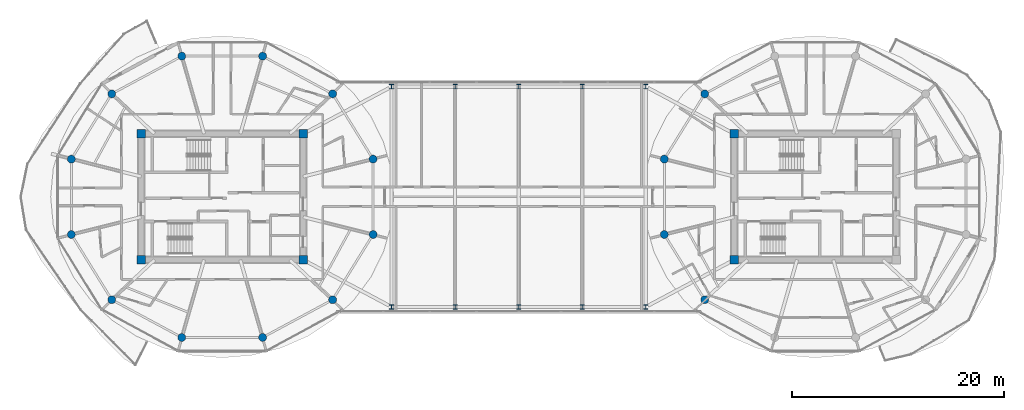
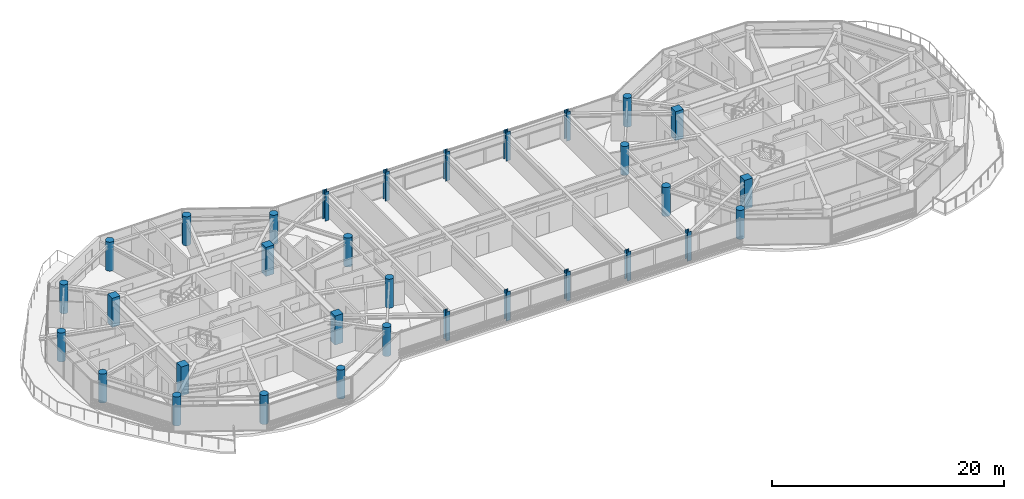
# One storey, part 1 of 23: 32 columns.
"""IFC4 building model written with IfcOpenShell, lengths in metres."""

from ifc_helpers import new_model, si_unit, direction, frame, origin, origin_2d, place, context, subcontext, project, spatial, rectangle, circle, i_section, extrude, source, transform, mapped, material, material_profile, profile_set, type_object, type_shapes, element, save


model = new_model("IFC4")

# Units and contexts
model_context = context("Model", 3, precision=1e-05, world=origin(), true_north=direction((0.0, 1.0)))
body_context = subcontext(model_context, "Body", "Model", "MODEL_VIEW")
ifc_project = project(units=[si_unit("LENGTHUNIT", "METRE"), si_unit("AREAUNIT", "SQUARE_METRE"), si_unit("VOLUMEUNIT", "CUBIC_METRE"), si_unit("PLANEANGLEUNIT", "RADIAN"), si_unit("MASSUNIT", "GRAM", prefix="KILO")], contexts=[model_context])

# Site, building, storey
site_placement = place(None, origin())
site = spatial("IfcSite", under=ifc_project, at=site_placement, CompositionType="ELEMENT")
building_placement = place(site_placement, origin())
building = spatial("IfcBuilding", under=site, at=building_placement, Name="Norrkilde Senior Care Towers", CompositionType="ELEMENT")
storey_placement = place(building_placement, frame((0.0, 0.0, 207.800048828125)))
storey = spatial("IfcBuildingStorey", under=building, at=storey_placement, Name="L64", CompositionType="ELEMENT", Elevation=207.800048828125)

# Columns
ifc_material_1 = material(Name="Concrete C60/75", Category="concrete")
ifc_material_profile_1 = material_profile(ifc_material_1, rectangle(XDim=0.800048828125, YDim=0.800048828125, at=origin_2d()), Name="RC COL 800x800")
ifc_profile_set_1 = profile_set([ifc_material_profile_1], Name="Concrete C60/75")
column_type_1 = type_object("IfcColumnType", Name="Column Core Corner Z3-Z4 800", PredefinedType="COLUMN", material=ifc_profile_set_1)
shared_shape_1 = source(origin(), body_context, "Body", "SweptSolid", [
    extrude(rectangle(XDim=0.800048828125, YDim=0.800048828125, at=origin_2d()), origin(), (0.0, 0.0, 1.0), 3.050048828125),
])
type_shapes(column_type_1, [shared_shape_1])
for number, where, z_axis, x_axis, name in (
    (1, (-35.64990234375, -5.949951171875, 0.0), (0.0, 0.0, 1.0), (1.0, 0.0, 0.0), "L64 Core W Corner Column 1"),
    (2, (-20.35009765625, -5.949951171875, 0.0), (0.0, 0.0, 1.0), (1.0, 0.0, 0.0), "L64 Core W Corner Column 2"),
    (3, (-20.35009765625, 5.949951171875, 0.0), (0.0, 0.0, 1.0), (1.0, 0.0, 0.0), "L64 Core W Corner Column 3"),
    (4, (-35.64990234375, 5.949951171875, 0.0), (0.0, 0.0, 1.0), (1.0, 0.0, 0.0), "L64 Core W Corner Column 4"),
    (5, (20.35009765625, -5.949951171875, 0.0), (0.0, 0.0, 1.0), (1.0, 0.0, 0.0), "L64 Core E Corner Column 1"),
    (6, (20.35009765625, 5.949951171875, 0.0), (0.0, 0.0, 1.0), (1.0, 0.0, 0.0), "L64 Core E Corner Column 4"),
):
    element("IfcColumn", number, at=place(storey_placement, frame(where, z_axis=z_axis, x_axis=x_axis)), inside=storey, type_object=column_type_1, Name=name, PredefinedType="COLUMN", context=body_context, shape_type="MappedRepresentation", body=[
        mapped(shared_shape_1, transform((0.0, 0.0, 0.0), x_axis=(1.0, 0.0, 0.0), y_axis=(0.0, 1.0, 0.0), z_axis=(0.0, 0.0, 1.0), scale=1.0)),
    ])
ifc_material_2 = material(Name="Concrete C50/60", Category="concrete")
ifc_material_profile_2 = material_profile(ifc_material_2, circle(Radius=0.375, at=origin_2d()), Name="RC CIR 750")
ifc_profile_set_2 = profile_set([ifc_material_profile_2], Name="Concrete C50/60")
column_type_2 = type_object("IfcColumnType", Name="Column Perimeter Z4 750", PredefinedType="COLUMN", material=ifc_profile_set_2)
shared_shape_2 = source(origin(), body_context, "Body", "SweptSolid", [
    extrude(circle(Radius=0.375, at=origin_2d()), origin(), (0.0, 0.0, 1.0), 3.050048828125),
])
type_shapes(column_type_2, [shared_shape_2])
for number, where, z_axis, x_axis, name in (
    (7, (-13.752685546875, 3.558837890625, 0.0), (0.0, 0.0, 1.0), (1.0, 0.0, 0.0), "L64 Drum W Perimeter Column 01"),
    (8, (-17.570068359375, 9.72265625, 0.0), (0.0, 0.0, 1.0), (1.0, 0.0, 0.0), "L64 Drum W Perimeter Column 02"),
    (9, (-24.182373046875, 13.281494140625, 0.0), (0.0, 0.0, 1.0), (1.0, 0.0, 0.0), "L64 Drum W Perimeter Column 03"),
    (10, (-31.817626953125, 13.281494140625, 0.0), (0.0, 0.0, 1.0), (1.0, 0.0, 0.0), "L64 Drum W Perimeter Column 04"),
    (11, (-38.429931640625, 9.72265625, 0.0), (0.0, 0.0, 1.0), (1.0, 0.0, 0.0), "L64 Drum W Perimeter Column 05"),
    (12, (-42.247314453125, 3.558837890625, 0.0), (0.0, 0.0, 1.0), (1.0, 0.0, 0.0), "L64 Drum W Perimeter Column 06"),
    (13, (-42.247314453125, -3.558837890625, 0.0), (0.0, 0.0, 1.0), (1.0, 0.0, 0.0), "L64 Drum W Perimeter Column 07"),
    (14, (-38.429931640625, -9.72265625, 0.0), (0.0, 0.0, 1.0), (1.0, 0.0, 0.0), "L64 Drum W Perimeter Column 08"),
    (15, (-31.817626953125, -13.281494140625, 0.0), (0.0, 0.0, 1.0), (1.0, 0.0, 0.0), "L64 Drum W Perimeter Column 09"),
    (16, (-24.182373046875, -13.281494140625, 0.0), (0.0, 0.0, 1.0), (1.0, 0.0, 0.0), "L64 Drum W Perimeter Column 10"),
    (17, (-17.570068359375, -9.72265625, 0.0), (0.0, 0.0, 1.0), (1.0, 0.0, 0.0), "L64 Drum W Perimeter Column 11"),
    (18, (-13.752685546875, -3.558837890625, 0.0), (0.0, 0.0, 1.0), (1.0, 0.0, 0.0), "L64 Drum W Perimeter Column 12"),
    (19, (17.570068359375, 9.72265625, 0.0), (0.0, 0.0, 1.0), (1.0, 0.0, 0.0), "L64 Drum E Perimeter Column 05"),
    (20, (13.752685546875, 3.558837890625, 0.0), (0.0, 0.0, 1.0), (1.0, 0.0, 0.0), "L64 Drum E Perimeter Column 06"),
    (21, (13.752685546875, -3.558837890625, 0.0), (0.0, 0.0, 1.0), (1.0, 0.0, 0.0), "L64 Drum E Perimeter Column 07"),
    (22, (17.570068359375, -9.72265625, 0.0), (0.0, 0.0, 1.0), (1.0, 0.0, 0.0), "L64 Drum E Perimeter Column 08"),
):
    element("IfcColumn", number, at=place(storey_placement, frame(where, z_axis=z_axis, x_axis=x_axis)), inside=storey, type_object=column_type_2, Name=name, PredefinedType="COLUMN", context=body_context, shape_type="MappedRepresentation", body=[
        mapped(shared_shape_2, transform((0.0, 0.0, 0.0), x_axis=(1.0, 0.0, 0.0), y_axis=(0.0, 1.0, 0.0), z_axis=(0.0, 0.0, 1.0), scale=1.0)),
    ])
ifc_material_3 = material(Name="Steel S355", Category="steel")
ifc_material_profile_3 = material_profile(ifc_material_3, i_section(OverallWidth=0.406982421875, OverallDepth=0.43505859375, WebThickness=0.02392578125, FlangeThickness=0.0390625, FilletRadius=0.014892578125, at=origin_2d()), Name="HD 400x421")
ifc_profile_set_3 = profile_set([ifc_material_profile_3], Name="Steel S355")
column_type_3 = type_object("IfcColumnType", Name="Column Bridge Frame HD400", PredefinedType="COLUMN", material=ifc_profile_set_3)
shared_shape_3 = source(origin(), body_context, "Body", "SweptSolid", [
    extrude(i_section(OverallWidth=0.406982421875, OverallDepth=0.43505859375, WebThickness=0.02392578125, FlangeThickness=0.0390625, FilletRadius=0.014892578125, at=origin_2d()), origin(), (0.0, 0.0, 1.0), 3.050048828125),
])
type_shapes(column_type_3, [shared_shape_3])
for number, where, z_axis, x_axis, name in (
    (23, (-12.0, -10.39990234375, 0.0), (0.0, 0.0, 1.0), (1.0, 0.0, 0.0), "L64 Sky-Gate Bridge Column -12.1"),
    (24, (-12.0, 10.39990234375, 0.0), (0.0, 0.0, 1.0), (1.0, 0.0, 0.0), "L64 Sky-Gate Bridge Column -12.2"),
    (25, (-6.0, -10.39990234375, 0.0), (0.0, 0.0, 1.0), (1.0, 0.0, 0.0), "L64 Sky-Gate Bridge Column -6.1"),
    (26, (-6.0, 10.39990234375, 0.0), (0.0, 0.0, 1.0), (1.0, 0.0, 0.0), "L64 Sky-Gate Bridge Column -6.2"),
    (27, (0.0, -10.39990234375, 0.0), (0.0, 0.0, 1.0), (1.0, 0.0, 0.0), "L64 Sky-Gate Bridge Column +0.1"),
    (28, (0.0, 10.39990234375, 0.0), (0.0, 0.0, 1.0), (1.0, 0.0, 0.0), "L64 Sky-Gate Bridge Column +0.2"),
    (29, (6.0, -10.39990234375, 0.0), (0.0, 0.0, 1.0), (1.0, 0.0, 0.0), "L64 Sky-Gate Bridge Column +6.1"),
    (30, (6.0, 10.39990234375, 0.0), (0.0, 0.0, 1.0), (1.0, 0.0, 0.0), "L64 Sky-Gate Bridge Column +6.2"),
    (31, (12.0, -10.39990234375, 0.0), (0.0, 0.0, 1.0), (1.0, 0.0, 0.0), "L64 Sky-Gate Bridge Column +12.1"),
    (32, (12.0, 10.39990234375, 0.0), (0.0, 0.0, 1.0), (1.0, 0.0, 0.0), "L64 Sky-Gate Bridge Column +12.2"),
):
    element("IfcColumn", number, at=place(storey_placement, frame(where, z_axis=z_axis, x_axis=x_axis)), inside=storey, type_object=column_type_3, Name=name, PredefinedType="COLUMN", context=body_context, shape_type="MappedRepresentation", body=[
        mapped(shared_shape_3, transform((0.0, 0.0, 0.0), x_axis=(1.0, 0.0, 0.0), y_axis=(0.0, 1.0, 0.0), z_axis=(0.0, 0.0, 1.0), scale=1.0)),
    ])

save(model, "model.ifc")
